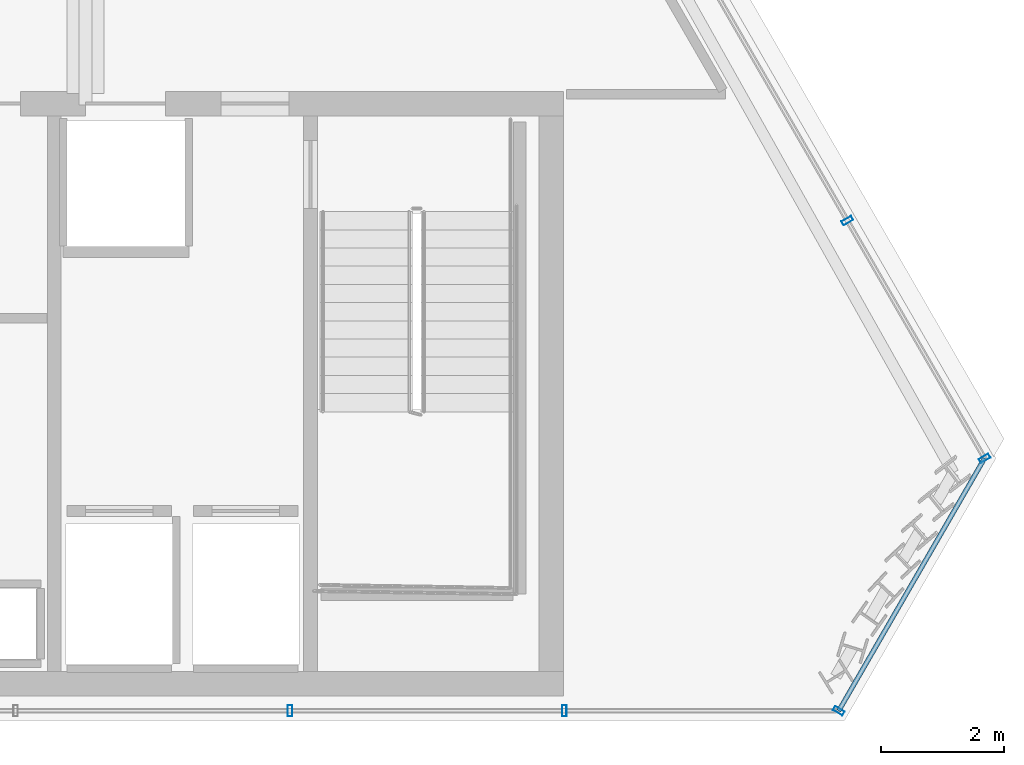
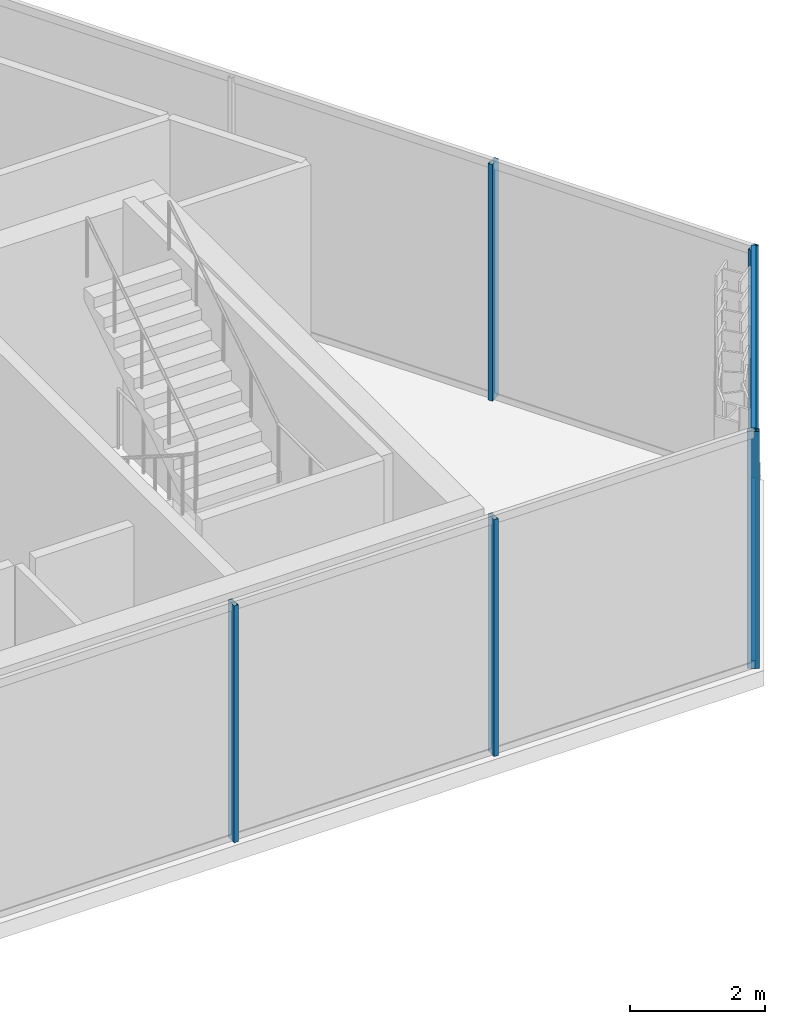
# One storey, part 21 of 32: 7 members, 3 elements without a shape of their own.
"""IFC4 building model written with IfcOpenShell, lengths in metres."""

from ifc_helpers import new_model, si_unit, direction, frame, origin, origin_2d, place, context, subcontext, project, spatial, hollow_rectangle, extrude, material, layer, layer_set, material_profile, profile_set, type_object, element, aggregate, save


model = new_model("IFC4")

# Units and contexts
model_context = context("Model", 3, precision=1e-05, world=origin(), true_north=direction((0.0, 1.0)))
body_context = subcontext(model_context, "Body", "Model", "MODEL_VIEW")
ifc_project = project(units=[si_unit("LENGTHUNIT", "METRE"), si_unit("AREAUNIT", "SQUARE_METRE"), si_unit("VOLUMEUNIT", "CUBIC_METRE"), si_unit("PLANEANGLEUNIT", "RADIAN"), si_unit("MASSUNIT", "GRAM", prefix="KILO")], contexts=[model_context])

# Site, building, storey
site_placement = place(None, origin())
site = spatial("IfcSite", under=ifc_project, at=site_placement, CompositionType="ELEMENT")
building_placement = place(site_placement, origin())
building = spatial("IfcBuilding", under=site, at=building_placement, Name="Ndaravel Arena Tower", CompositionType="ELEMENT")
storey_placement = place(building_placement, frame((0.0, 0.0, 278.800048828125)))
storey = spatial("IfcBuildingStorey", under=building, at=storey_placement, Name="L68", CompositionType="ELEMENT", Elevation=278.800048828125)

# Curtain wall, members
ifc_material_1 = material(Name="Aluminium", Category="aluminium")
ifc_layer_1 = layer(ifc_material_1, 0.179931640625)
ifc_layer_set_1 = layer_set([ifc_layer_1], Name="Aluminium")
curtain_wall_type_1 = type_object("IfcCurtainWallType", Name="CW-SYS-03", PredefinedType="NOTDEFINED", material=ifc_layer_set_1)
curtain_wall_1_placement = place(storey_placement, origin())
curtain_wall_1 = element("IfcCurtainWall", 1, at=curtain_wall_1_placement, inside=storey, type_object=curtain_wall_type_1, Name="L68 Faceted Crystal Curtain Wall CW-L68-E01", PredefinedType="NOTDEFINED")
ifc_material_2 = material(Name="Aluminium", Category="aluminium")
ifc_material_profile_1 = material_profile(ifc_material_2, hollow_rectangle(XDim=0.074951171875, YDim=0.179931640625, WallThickness=0.00390625, at=origin_2d()), Name="CW MULLION 75x180x4")
ifc_profile_set_1 = profile_set([ifc_material_profile_1], Name="Aluminium")
member_type_1 = type_object("IfcMemberType", Name="MEM-CW-MUL180", PredefinedType="MULLION", material=ifc_profile_set_1)
member_1_placement = place(storey_placement, frame((53.117431640625, 5.159912109375, 0.0), z_axis=(0.0, 0.0, 1.0), x_axis=(1.0, 0.0, 0.0)))
member_1 = element("IfcMember", 2, at=member_1_placement, type_object=member_type_1, Name="CW-L68-E01 Mullion 07", PredefinedType="MULLION", context=body_context, shape_type="SweptSolid", body=[
    extrude(hollow_rectangle(XDim=0.074951171875, YDim=0.179931640625, WallThickness=0.00390625, at=origin_2d()), origin(), (0.0, 0.0, 1.0), 4.280029296875),
])
member_2_placement = place(storey_placement, frame((57.564208984375, 5.159912109375, 0.0), z_axis=(0.0, 0.0, 1.0), x_axis=(1.0, 0.0, 0.0)))
member_2 = element("IfcMember", 3, at=member_2_placement, type_object=member_type_1, Name="CW-L68-E01 Mullion 08", PredefinedType="MULLION", context=body_context, shape_type="SweptSolid", body=[
    extrude(hollow_rectangle(XDim=0.074951171875, YDim=0.179931640625, WallThickness=0.00390625, at=origin_2d()), origin(), (0.0, 0.0, 1.0), 4.280029296875),
])
aggregate(curtain_wall_1, [member_1, member_2])

# Curtain wall, member
ifc_material_3 = material(Name="Aluminium", Category="aluminium")
ifc_layer_2 = layer(ifc_material_3, 0.179931640625)
ifc_layer_set_2 = layer_set([ifc_layer_2], Name="Aluminium")
curtain_wall_type_2 = type_object("IfcCurtainWallType", Name="CW-SYS-01", PredefinedType="NOTDEFINED", material=ifc_layer_set_2)
curtain_wall_2_placement = place(storey_placement, origin())
curtain_wall_2 = element("IfcCurtainWall", 4, at=curtain_wall_2_placement, inside=storey, type_object=curtain_wall_type_2, Name="L68 Faceted Crystal Curtain Wall CW-L68-E02", PredefinedType="NOTDEFINED")
member_3_placement = place(storey_placement, frame((62.01123046875, 5.159912109375, 0.0), z_axis=(0.0, 0.0, 1.0), x_axis=(0.5, 0.866025403784, 0.0)))
member_3 = element("IfcMember", 5, at=member_3_placement, type_object=member_type_1, Name="CW-L68-E02 Mullion 00", PredefinedType="MULLION", context=body_context, shape_type="SweptSolid", body=[
    extrude(hollow_rectangle(XDim=0.074951171875, YDim=0.179931640625, WallThickness=0.00390625, at=origin_2d()), origin(), (0.0, 0.0, 1.0), 4.280029296875),
])

# Curtain wall, members
curtain_wall_3_placement = place(storey_placement, origin())
curtain_wall_3 = element("IfcCurtainWall", 6, at=curtain_wall_3_placement, inside=storey, type_object=curtain_wall_type_1, Name="L68 Faceted Crystal Curtain Wall CW-L68-E03", PredefinedType="NOTDEFINED")
member_4_placement = place(storey_placement, frame((64.373779296875, 9.251708984375, 0.0), z_axis=(0.0, 0.0, 1.0), x_axis=(-0.5, 0.866025403784, 0.0)))
member_4 = element("IfcMember", 7, at=member_4_placement, type_object=member_type_1, Name="CW-L68-E03 Mullion 00", PredefinedType="MULLION", context=body_context, shape_type="SweptSolid", body=[
    extrude(hollow_rectangle(XDim=0.074951171875, YDim=0.179931640625, WallThickness=0.00390625, at=origin_2d()), origin(), (0.0, 0.0, 1.0), 4.280029296875),
])
member_5_placement = place(storey_placement, frame((62.150146484375, 13.10302734375, 0.0), z_axis=(0.0, 0.0, 1.0), x_axis=(-0.5, 0.866025403784, 0.0)))
member_5 = element("IfcMember", 8, at=member_5_placement, type_object=member_type_1, Name="CW-L68-E03 Mullion 01", PredefinedType="MULLION", context=body_context, shape_type="SweptSolid", body=[
    extrude(hollow_rectangle(XDim=0.074951171875, YDim=0.179931640625, WallThickness=0.00390625, at=origin_2d()), origin(), (0.0, 0.0, 1.0), 4.280029296875),
])
aggregate(curtain_wall_3, [member_4, member_5])

# Member
ifc_material_4 = material(Name="Aluminium", Category="aluminium")
ifc_material_profile_2 = material_profile(ifc_material_4, hollow_rectangle(XDim=0.074951171875, YDim=0.14990234375, WallThickness=0.00390625, at=origin_2d()), Name="CW TRANSOM 75x150x4")
ifc_profile_set_2 = profile_set([ifc_material_profile_2], Name="Aluminium")
member_type_2 = type_object("IfcMemberType", Name="MEM-CW-TRN150", PredefinedType="USERDEFINED", material=ifc_profile_set_2)
member_6_placement = place(storey_placement, frame((62.01123046875, 5.159912109375, 0.0400390625), z_axis=(0.500023619628, 0.866011766556, 0.0), x_axis=(-0.866011766556, 0.500023619628, 0.0)))
member_6 = element("IfcMember", 9, at=member_6_placement, type_object=member_type_2, Name="CW-L68-E02 Transom 01", ObjectType="TRANSOM", PredefinedType="USERDEFINED", context=body_context, shape_type="SweptSolid", body=[
    extrude(hollow_rectangle(XDim=0.074951171875, YDim=0.14990234375, WallThickness=0.00390625, at=origin_2d()), origin(), (0.0, 0.0, 1.0), 4.724853515625),
])

member_7_placement = place(storey_placement, frame((62.01123046875, 5.159912109375, 4.239990234375), z_axis=(0.500023619628, 0.866011766556, 0.0), x_axis=(-0.866011766556, 0.500023619628, 0.0)))
member_7 = element("IfcMember", 10, at=member_7_placement, type_object=member_type_2, Name="CW-L68-E02 Transom 02", ObjectType="TRANSOM", PredefinedType="USERDEFINED", context=body_context, shape_type="SweptSolid", body=[
    extrude(hollow_rectangle(XDim=0.074951171875, YDim=0.14990234375, WallThickness=0.00390625, at=origin_2d()), origin(), (0.0, 0.0, 1.0), 4.724853515625),
])

aggregate(curtain_wall_2, [member_3, member_6, member_7])

save(model, "model.ifc")
